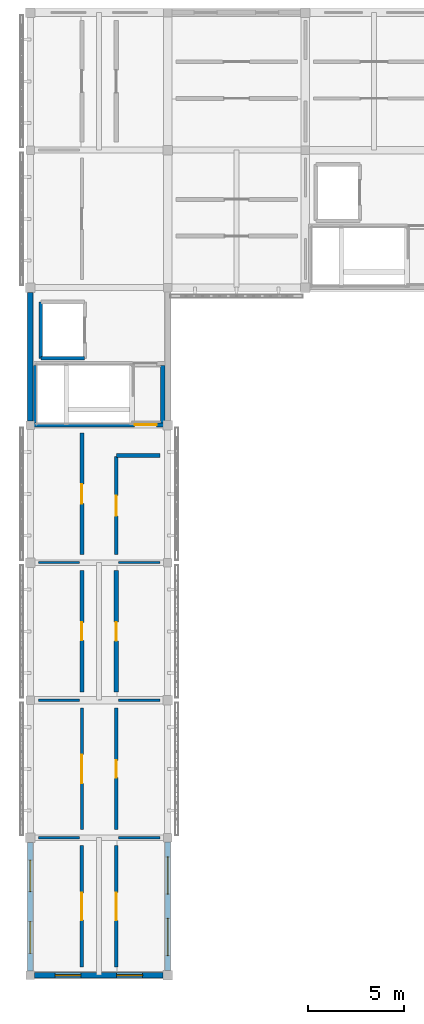
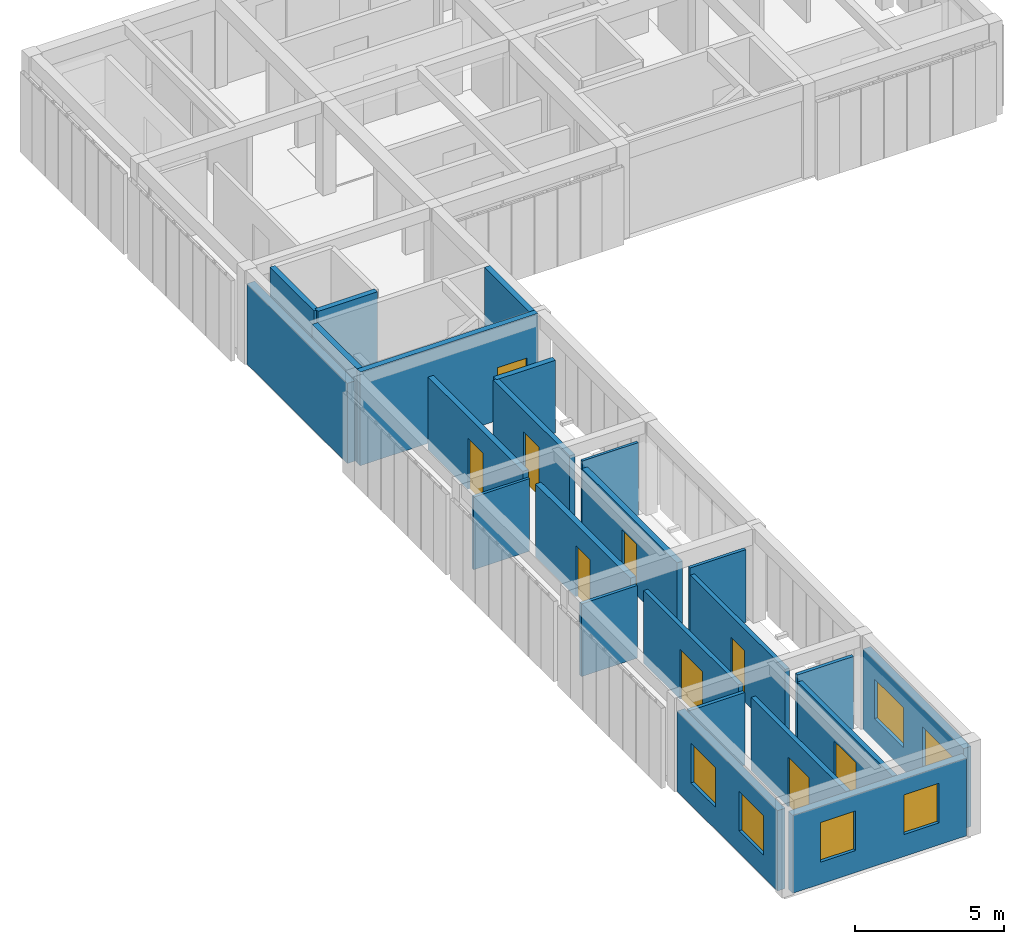
# One storey, part 10 of 14: 24 walls, 9 doors, 6 windows, 15 openings.
"""IFC4 building model written with IfcOpenShell, lengths in metres."""

from ifc_helpers import new_model, si_unit, direction, frame, frame_2d, origin, place, context, subcontext, project, spatial, rectangle, extrude, material, layer, layer_set, type_object, element, fill, save


model = new_model("IFC4")

# Units and contexts
model_context = context("Model", 3, precision=1e-05, world=origin(), true_north=direction((0.0, 1.0)))
body_context = subcontext(model_context, "Body", "Model", "MODEL_VIEW")
ifc_project = project(units=[si_unit("LENGTHUNIT", "METRE"), si_unit("AREAUNIT", "SQUARE_METRE"), si_unit("VOLUMEUNIT", "CUBIC_METRE"), si_unit("PLANEANGLEUNIT", "RADIAN"), si_unit("MASSUNIT", "GRAM", prefix="KILO")], contexts=[model_context])

# Site, building, storey
site_placement = place(None, origin())
site = spatial("IfcSite", under=ifc_project, at=site_placement, CompositionType="ELEMENT")
building_placement = place(site_placement, origin())
building = spatial("IfcBuilding", under=site, at=building_placement, Name="Aldebral Square Health Centre", CompositionType="ELEMENT")
storey_placement = place(building_placement, frame((0.0, 0.0, 21.60009765625)))
storey = spatial("IfcBuildingStorey", under=building, at=storey_placement, Name="L05", CompositionType="ELEMENT", Elevation=21.60009765625)

# Wall, openings, windows
ifc_material_1 = material(Name="Precast concrete C40/50 insulated panel", Category="concrete")
ifc_layer_1 = layer(ifc_material_1, 0.300048828125, Name="Precast concrete C40/50 insulated panel", Category="concrete")
ifc_layer_set_1 = layer_set([ifc_layer_1], Name="Precast concrete C40/50 insulated panel")
wall_type_1 = type_object("IfcWallType", Name="EW-PRE-300", PredefinedType="STANDARD", material=ifc_layer_set_1)
wall_1_placement = place(storey_placement, frame((0.22509765625, 64.800048828125, 0.0), z_axis=(0.0, 0.0, 1.0), x_axis=(1.0, 0.0, 0.0)))
wall_1 = element("IfcWall", 1, at=wall_1_placement, inside=storey, type_object=wall_type_1, Name="L05 V4 exterior wall L05-V4-00-09-S", PredefinedType="STANDARD", context=body_context, shape_type="SweptSolid", body=[
    extrude(rectangle(XDim=6.724853515625, YDim=0.300048828125, at=frame_2d((3.3623046875, 0.0))), origin(), (0.0, 0.0, 1.0), 3.179931640625),
])
opening_1_placement = place(wall_1_placement, frame((1.074951171875, 0.0, 0.89990234375)))
opening_1 = element("IfcOpeningElement", 2, at=opening_1_placement, cuts=wall_1, Name="Opening W31", PredefinedType="OPENING", context=body_context, shape_type="SweptSolid", body=[
    extrude(rectangle(XDim=1.35009765625, YDim=1.6201171875, at=frame_2d((0.675048828125, 0.81005859375))), frame((0.0, 0.16015625, 0.0), z_axis=(0.0, -1.0, 0.0), x_axis=(1.0, 0.0, 0.0)), (0.0, 0.0, 1.0), 0.320068359375),
])
opening_2_placement = place(wall_1_placement, frame((4.300048828125, 0.0, 0.89990234375)))
opening_2 = element("IfcOpeningElement", 3, at=opening_2_placement, cuts=wall_1, Name="Opening W31", PredefinedType="OPENING", context=body_context, shape_type="SweptSolid", body=[
    extrude(rectangle(XDim=1.35009765625, YDim=1.6201171875, at=frame_2d((0.675048828125, 0.81005859375))), frame((0.0, 0.16015625, 0.0), z_axis=(0.0, -1.0, 0.0), x_axis=(1.0, 0.0, 0.0)), (0.0, 0.0, 1.0), 0.320068359375),
])
ifc_material_2 = material(Name="Thermally broken aluminium and low-E glass", Category="aluminium")
window_type_1 = type_object("IfcWindowType", Name="WIN-W31", PartitioningType="SINGLE_PANEL", PredefinedType="WINDOW", material=ifc_material_2)
window_1_placement = place(opening_1_placement, origin())
window_1 = element("IfcWindow", 4, at=window_1_placement, inside=storey, type_object=window_type_1, Name="L05 clinical window L05-V4-00-09-S.1", OverallHeight=1.6201171875, OverallWidth=1.35009765625, PartitioningType="SINGLE_PANEL", PredefinedType="WINDOW", context=body_context, shape_type="SweptSolid", body=[
    extrude(rectangle(XDim=1.35009765625, YDim=1.6201171875, at=frame_2d((0.675048828125, 0.81005859375))), frame((0.0, 0.030029296875, 0.0), z_axis=(0.0, -1.0, 0.0), x_axis=(1.0, 0.0, 0.0)), (0.0, 0.0, 1.0), 0.06005859375),
])
fill(opening_1, window_1)
window_2_placement = place(opening_2_placement, origin())
window_2 = element("IfcWindow", 5, at=window_2_placement, inside=storey, type_object=window_type_1, Name="L05 clinical window L05-V4-00-09-S.2", OverallHeight=1.6201171875, OverallWidth=1.35009765625, PartitioningType="SINGLE_PANEL", PredefinedType="WINDOW", context=body_context, shape_type="SweptSolid", body=[
    extrude(rectangle(XDim=1.35009765625, YDim=1.6201171875, at=frame_2d((0.675048828125, 0.81005859375))), frame((0.0, 0.030029296875, 0.0), z_axis=(0.0, -1.0, 0.0), x_axis=(1.0, 0.0, 0.0)), (0.0, 0.0, 1.0), 0.06005859375),
])
fill(opening_2, window_2)

wall_2_placement = place(storey_placement, frame((0.0, 71.75, 0.0), z_axis=(0.0, 0.0, 1.0), x_axis=(0.0, -1.0, 0.0)))
wall_2 = element("IfcWall", 6, at=wall_2_placement, inside=storey, type_object=wall_type_1, Name="L05 V4 exterior wall L05-V4-00-09-W", PredefinedType="STANDARD", context=body_context, shape_type="SweptSolid", body=[
    extrude(rectangle(XDim=6.72509765625, YDim=0.300048828125, at=frame_2d((3.362548828125, 0.0))), origin(), (0.0, 0.0, 1.0), 3.27978515625),
])
opening_3_placement = place(wall_2_placement, frame((0.925048828125, 0.0, 0.89990234375)))
opening_3 = element("IfcOpeningElement", 7, at=opening_3_placement, cuts=wall_2, Name="Opening W33", PredefinedType="OPENING", context=body_context, shape_type="SweptSolid", body=[
    extrude(rectangle(XDim=1.64990234375, YDim=1.6201171875, at=frame_2d((0.824951171875, 0.81005859375))), frame((0.0, 0.16015625, 0.0), z_axis=(0.0, -1.0, 0.0), x_axis=(1.0, 0.0, 0.0)), (0.0, 0.0, 1.0), 0.320068359375),
])
opening_4_placement = place(wall_2_placement, frame((4.14990234375, 0.0, 0.89990234375)))
opening_4 = element("IfcOpeningElement", 8, at=opening_4_placement, cuts=wall_2, Name="Opening W33", PredefinedType="OPENING", context=body_context, shape_type="SweptSolid", body=[
    extrude(rectangle(XDim=1.64990234375, YDim=1.6201171875, at=frame_2d((0.824951171875, 0.81005859375))), frame((0.0, 0.16015625, 0.0), z_axis=(0.0, -1.0, 0.0), x_axis=(1.0, 0.0, 0.0)), (0.0, 0.0, 1.0), 0.320068359375),
])
window_type_2 = type_object("IfcWindowType", Name="WIN-W33", PartitioningType="SINGLE_PANEL", PredefinedType="WINDOW", material=ifc_material_2)
window_3_placement = place(opening_3_placement, origin())
window_3 = element("IfcWindow", 9, at=window_3_placement, inside=storey, type_object=window_type_2, Name="L05 clinical window L05-V4-00-09-W.1", OverallHeight=1.6201171875, OverallWidth=1.64990234375, PartitioningType="SINGLE_PANEL", PredefinedType="WINDOW", context=body_context, shape_type="SweptSolid", body=[
    extrude(rectangle(XDim=1.64990234375, YDim=1.6201171875, at=frame_2d((0.824951171875, 0.81005859375))), frame((0.0, 0.030029296875, 0.0), z_axis=(0.0, -1.0, 0.0), x_axis=(1.0, 0.0, 0.0)), (0.0, 0.0, 1.0), 0.06005859375),
])
fill(opening_3, window_3)
window_4_placement = place(opening_4_placement, origin())
window_4 = element("IfcWindow", 10, at=window_4_placement, inside=storey, type_object=window_type_2, Name="L05 clinical window L05-V4-00-09-W.2", OverallHeight=1.6201171875, OverallWidth=1.64990234375, PartitioningType="SINGLE_PANEL", PredefinedType="WINDOW", context=body_context, shape_type="SweptSolid", body=[
    extrude(rectangle(XDim=1.64990234375, YDim=1.6201171875, at=frame_2d((0.824951171875, 0.81005859375))), frame((0.0, 0.030029296875, 0.0), z_axis=(0.0, -1.0, 0.0), x_axis=(1.0, 0.0, 0.0)), (0.0, 0.0, 1.0), 0.06005859375),
])
fill(opening_4, window_4)

wall_3_placement = place(storey_placement, frame((7.199951171875, 65.050048828125, 0.0), z_axis=(0.0, 0.0, 1.0), x_axis=(0.0, 1.0, 0.0)))
wall_3 = element("IfcWall", 11, at=wall_3_placement, inside=storey, type_object=wall_type_1, Name="L05 V4 exterior wall L05-V4-00-09-E", PredefinedType="STANDARD", context=body_context, shape_type="SweptSolid", body=[
    extrude(rectangle(XDim=6.724853515625, YDim=0.300048828125, at=frame_2d((3.3623046875, 0.0))), origin(), (0.0, 0.0, 1.0), 3.27978515625),
])
opening_5_placement = place(wall_3_placement, frame((0.77490234375, 0.0, 0.89990234375)))
opening_5 = element("IfcOpeningElement", 12, at=opening_5_placement, cuts=wall_3, Name="Opening W35", PredefinedType="OPENING", context=body_context, shape_type="SweptSolid", body=[
    extrude(rectangle(XDim=1.949951171875, YDim=1.6201171875, at=frame_2d((0.97509765625, 0.81005859375))), frame((0.0, 0.16015625, 0.0), z_axis=(0.0, -1.0, 0.0), x_axis=(1.0, 0.0, 0.0)), (0.0, 0.0, 1.0), 0.320068359375),
])
opening_6_placement = place(wall_3_placement, frame((4.0, 0.0, 0.89990234375)))
opening_6 = element("IfcOpeningElement", 13, at=opening_6_placement, cuts=wall_3, Name="Opening W35", PredefinedType="OPENING", context=body_context, shape_type="SweptSolid", body=[
    extrude(rectangle(XDim=1.949951171875, YDim=1.6201171875, at=frame_2d((0.97509765625, 0.81005859375))), frame((0.0, 0.16015625, 0.0), z_axis=(0.0, -1.0, 0.0), x_axis=(1.0, 0.0, 0.0)), (0.0, 0.0, 1.0), 0.320068359375),
])
window_type_3 = type_object("IfcWindowType", Name="WIN-W35", PartitioningType="SINGLE_PANEL", PredefinedType="WINDOW", material=ifc_material_2)
window_5_placement = place(opening_5_placement, origin())
window_5 = element("IfcWindow", 14, at=window_5_placement, inside=storey, type_object=window_type_3, Name="L05 clinical window L05-V4-00-09-E.1", OverallHeight=1.6201171875, OverallWidth=1.949951171875, PartitioningType="SINGLE_PANEL", PredefinedType="WINDOW", context=body_context, shape_type="SweptSolid", body=[
    extrude(rectangle(XDim=1.949951171875, YDim=1.6201171875, at=frame_2d((0.97509765625, 0.81005859375))), frame((0.0, 0.030029296875, 0.0), z_axis=(0.0, -1.0, 0.0), x_axis=(1.0, 0.0, 0.0)), (0.0, 0.0, 1.0), 0.06005859375),
])
fill(opening_5, window_5)
window_6_placement = place(opening_6_placement, origin())
window_6 = element("IfcWindow", 15, at=window_6_placement, inside=storey, type_object=window_type_3, Name="L05 clinical window L05-V4-00-09-E.2", OverallHeight=1.6201171875, OverallWidth=1.949951171875, PartitioningType="SINGLE_PANEL", PredefinedType="WINDOW", context=body_context, shape_type="SweptSolid", body=[
    extrude(rectangle(XDim=1.949951171875, YDim=1.6201171875, at=frame_2d((0.97509765625, 0.81005859375))), frame((0.0, 0.030029296875, 0.0), z_axis=(0.0, -1.0, 0.0), x_axis=(1.0, 0.0, 0.0)), (0.0, 0.0, 1.0), 0.06005859375),
])
fill(opening_6, window_6)

# Wall
wall_4_placement = place(storey_placement, frame((0.0, 100.550048828125, 0.0), z_axis=(0.0, 0.0, 1.0), x_axis=(0.0, -1.0, 0.0)))
element("IfcWall", 16, at=wall_4_placement, inside=storey, type_object=wall_type_1, Name="L05 V4 exterior wall L05-V4-00-13-W", PredefinedType="STANDARD", context=body_context, shape_type="SweptSolid", body=[
    extrude(rectangle(XDim=6.72509765625, YDim=0.300048828125, at=frame_2d((3.362548828125, 0.0))), origin(), (0.0, 0.0, 1.0), 3.27978515625),
])

# Wall, opening, door
ifc_material_3 = material(Name="Concrete C35/45 compartment wall", Category="concrete")
ifc_layer_2 = layer(ifc_material_3, 0.199951171875, Name="Concrete C35/45 compartment wall", Category="concrete")
ifc_layer_set_2 = layer_set([ifc_layer_2], Name="Concrete C35/45 compartment wall")
wall_type_2 = type_object("IfcWallType", Name="IW-CMP-200", PredefinedType="SOLIDWALL", material=ifc_layer_set_2)
wall_5_placement = place(storey_placement, frame((4.5, 86.820068359375, 0.0), z_axis=(0.0, 0.0, 1.0), x_axis=(0.0, 1.0, 0.0)))
wall_5 = element("IfcWall", 17, at=wall_5_placement, inside=storey, type_object=wall_type_2, Name="L05 Preventive Screening Room 1.13E corridor wall", PredefinedType="SOLIDWALL", context=body_context, shape_type="SweptSolid", body=[
    extrude(rectangle(XDim=5.1298828125, YDim=0.199951171875, at=frame_2d((2.56494140625, 0.0))), origin(), (0.0, 0.0, 1.0), 2.969970703125),
])
opening_7_placement = place(wall_5_placement, frame((2.034912109375, 0.0, 0.0)))
opening_7 = element("IfcOpeningElement", 18, at=opening_7_placement, cuts=wall_5, Name="Opening D-0656", PredefinedType="OPENING", context=body_context, shape_type="SweptSolid", body=[
    extrude(rectangle(XDim=1.06005859375, YDim=2.090087890625, at=frame_2d((0.530029296875, 1.044921875))), frame((0.0, 0.10986328125, 0.0), z_axis=(0.0, -1.0, 0.0), x_axis=(1.0, 0.0, 0.0)), (0.0, 0.0, 1.0), 0.219970703125),
])
ifc_material_4 = material(Name="Clinical suite fire door")
door_type_1 = type_object("IfcDoorType", Name="ID-EXD-20", OperationType="NOTDEFINED", PredefinedType="DOOR", material=ifc_material_4)
door_1_placement = place(opening_7_placement, origin())
door_1 = element("IfcDoor", 19, at=door_1_placement, inside=storey, type_object=door_type_1, Name="L05 Preventive Screening Room 1.13E door", OperationType="SINGLE_SWING_LEFT", OverallHeight=2.090087890625, OverallWidth=1.06005859375, PredefinedType="DOOR", context=body_context, shape_type="SweptSolid", body=[
    extrude(rectangle(XDim=1.06005859375, YDim=2.090087890625, at=frame_2d((0.530029296875, 1.044921875))), frame((0.0, 0.02490234375, 0.0), z_axis=(0.0, -1.0, 0.0), x_axis=(1.0, 0.0, 0.0)), (0.0, 0.0, 1.0), 0.050048828125),
])
fill(opening_7, door_1)

ifc_layer_3 = layer(ifc_material_3, 0.219970703125, Name="Concrete C35/45 compartment wall", Category="concrete")
ifc_layer_set_3 = layer_set([ifc_layer_3], Name="Concrete C35/45 compartment wall")
wall_type_3 = type_object("IfcWallType", Name="IW-CMP-220", PredefinedType="SOLIDWALL", material=ifc_layer_set_3)
wall_6_placement = place(storey_placement, frame((2.699951171875, 79.6201171875, 0.0), z_axis=(0.0, 0.0, 1.0), x_axis=(0.0, 1.0, 0.0)))
wall_6 = element("IfcWall", 20, at=wall_6_placement, inside=storey, type_object=wall_type_3, Name="L05 Staff Continuing Education Room 1.12W corridor wall", PredefinedType="SOLIDWALL", context=body_context, shape_type="SweptSolid", body=[
    extrude(rectangle(XDim=6.35986328125, YDim=0.219970703125, at=frame_2d((3.179931640625, 0.0))), origin(), (0.0, 0.0, 1.0), 2.969970703125),
])
opening_8_placement = place(wall_6_placement, frame((2.7099609375, 0.0, 0.0)))
opening_8 = element("IfcOpeningElement", 21, at=opening_8_placement, cuts=wall_6, Name="Opening D-0653", PredefinedType="OPENING", context=body_context, shape_type="SweptSolid", body=[
    extrude(rectangle(XDim=0.93994140625, YDim=2.090087890625, at=frame_2d((0.469970703125, 1.044921875))), frame((0.0, 0.1201171875, 0.0), z_axis=(0.0, -1.0, 0.0), x_axis=(1.0, 0.0, 0.0)), (0.0, 0.0, 1.0), 0.239990234375),
])
door_type_2 = type_object("IfcDoorType", Name="ID-EXD-17", OperationType="NOTDEFINED", PredefinedType="DOOR", material=ifc_material_4)
door_2_placement = place(opening_8_placement, origin())
door_2 = element("IfcDoor", 22, at=door_2_placement, inside=storey, type_object=door_type_2, Name="L05 Staff Continuing Education Room 1.12W door", OperationType="SINGLE_SWING_RIGHT", OverallHeight=2.090087890625, OverallWidth=0.93994140625, PredefinedType="DOOR", context=body_context, shape_type="SweptSolid", body=[
    extrude(rectangle(XDim=0.93994140625, YDim=2.090087890625, at=frame_2d((0.469970703125, 1.044921875))), frame((0.0, 0.02490234375, 0.0), z_axis=(0.0, -1.0, 0.0), x_axis=(1.0, 0.0, 0.0)), (0.0, 0.0, 1.0), 0.050048828125),
])
fill(opening_8, door_2)

wall_7_placement = place(storey_placement, frame((4.5, 79.6201171875, 0.0), z_axis=(0.0, 0.0, 1.0), x_axis=(0.0, 1.0, 0.0)))
wall_7 = element("IfcWall", 23, at=wall_7_placement, inside=storey, type_object=wall_type_3, Name="L05 Rooftop AHU Plant Room 1.12E corridor wall", PredefinedType="SOLIDWALL", context=body_context, shape_type="SweptSolid", body=[
    extrude(rectangle(XDim=6.35986328125, YDim=0.219970703125, at=frame_2d((3.179931640625, 0.0))), origin(), (0.0, 0.0, 1.0), 2.969970703125),
])
opening_9_placement = place(wall_7_placement, frame((2.68994140625, 0.0, 0.0)))
opening_9 = element("IfcOpeningElement", 24, at=opening_9_placement, cuts=wall_7, Name="Opening D-0654", PredefinedType="OPENING", context=body_context, shape_type="SweptSolid", body=[
    extrude(rectangle(XDim=0.97998046875, YDim=2.090087890625, at=frame_2d((0.489990234375, 1.044921875))), frame((0.0, 0.1201171875, 0.0), z_axis=(0.0, -1.0, 0.0), x_axis=(1.0, 0.0, 0.0)), (0.0, 0.0, 1.0), 0.239990234375),
])
door_type_3 = type_object("IfcDoorType", Name="ID-EXD-18", OperationType="NOTDEFINED", PredefinedType="DOOR", material=ifc_material_4)
door_3_placement = place(opening_9_placement, origin())
door_3 = element("IfcDoor", 25, at=door_3_placement, inside=storey, type_object=door_type_3, Name="L05 Rooftop AHU Plant Room 1.12E door", OperationType="SINGLE_SWING_LEFT", OverallHeight=2.090087890625, OverallWidth=0.97998046875, PredefinedType="DOOR", context=body_context, shape_type="SweptSolid", body=[
    extrude(rectangle(XDim=0.97998046875, YDim=2.090087890625, at=frame_2d((0.489990234375, 1.044921875))), frame((0.0, 0.02490234375, 0.0), z_axis=(0.0, -1.0, 0.0), x_axis=(1.0, 0.0, 0.0)), (0.0, 0.0, 1.0), 0.050048828125),
])
fill(opening_9, door_3)

ifc_material_5 = material(Name="Fire-rated acoustic gypsum partition")
ifc_layer_4 = layer(ifc_material_5, 0.1650390625, Name="Fire-rated acoustic gypsum partition")
ifc_layer_set_4 = layer_set([ifc_layer_4], Name="Fire-rated acoustic gypsum partition")
wall_type_4 = type_object("IfcWallType", Name="IW-COR-165", PredefinedType="PARTITIONING", material=ifc_layer_set_4)
wall_8_placement = place(storey_placement, frame((2.699951171875, 72.419921875, 0.0), z_axis=(0.0, 0.0, 1.0), x_axis=(0.0, 1.0, 0.0)))
wall_8 = element("IfcWall", 26, at=wall_8_placement, inside=storey, type_object=wall_type_4, Name="L05 Clinical Governance Suite 1.11W corridor wall", PredefinedType="PARTITIONING", context=body_context, shape_type="SweptSolid", body=[
    extrude(rectangle(XDim=6.360107421875, YDim=0.1650390625, at=frame_2d((3.18017578125, 0.0))), origin(), (0.0, 0.0, 1.0), 2.969970703125),
])
opening_10_placement = place(wall_8_placement, frame((2.429931640625, 0.0, 0.0)))
opening_10 = element("IfcOpeningElement", 27, at=opening_10_placement, cuts=wall_8, Name="Opening D-0651", PredefinedType="OPENING", context=body_context, shape_type="SweptSolid", body=[
    extrude(rectangle(XDim=1.5, YDim=2.0400390625, at=frame_2d((0.75, 1.02001953125))), frame((0.0, 0.092529296875, 0.0), z_axis=(0.0, -1.0, 0.0), x_axis=(1.0, 0.0, 0.0)), (0.0, 0.0, 1.0), 0.18505859375),
])
door_type_4 = type_object("IfcDoorType", Name="ID-EXD-15", OperationType="NOTDEFINED", PredefinedType="DOOR", material=ifc_material_4)
door_4_placement = place(opening_10_placement, origin())
door_4 = element("IfcDoor", 28, at=door_4_placement, inside=storey, type_object=door_type_4, Name="L05 Clinical Governance Suite 1.11W door", OperationType="SINGLE_SWING_RIGHT", OverallHeight=2.0400390625, OverallWidth=1.5, PredefinedType="DOOR", context=body_context, shape_type="SweptSolid", body=[
    extrude(rectangle(XDim=1.5, YDim=2.0400390625, at=frame_2d((0.75, 1.02001953125))), frame((0.0, 0.02490234375, 0.0), z_axis=(0.0, -1.0, 0.0), x_axis=(1.0, 0.0, 0.0)), (0.0, 0.0, 1.0), 0.050048828125),
])
fill(opening_10, door_4)

wall_9_placement = place(storey_placement, frame((4.5, 72.419921875, 0.0), z_axis=(0.0, 0.0, 1.0), x_axis=(0.0, 1.0, 0.0)))
wall_9 = element("IfcWall", 29, at=wall_9_placement, inside=storey, type_object=wall_type_4, Name="L05 Telemedicine Consultation Room 1.11E corridor wall", PredefinedType="PARTITIONING", context=body_context, shape_type="SweptSolid", body=[
    extrude(rectangle(XDim=6.360107421875, YDim=0.1650390625, at=frame_2d((3.18017578125, 0.0))), origin(), (0.0, 0.0, 1.0), 2.969970703125),
])
opening_11_placement = place(wall_9_placement, frame((2.72998046875, 0.0, 0.0)))
opening_11 = element("IfcOpeningElement", 30, at=opening_11_placement, cuts=wall_9, Name="Opening D-0652", PredefinedType="OPENING", context=body_context, shape_type="SweptSolid", body=[
    extrude(rectangle(XDim=0.89990234375, YDim=2.090087890625, at=frame_2d((0.449951171875, 1.044921875))), frame((0.0, 0.092529296875, 0.0), z_axis=(0.0, -1.0, 0.0), x_axis=(1.0, 0.0, 0.0)), (0.0, 0.0, 1.0), 0.18505859375),
])
door_type_5 = type_object("IfcDoorType", Name="ID-EXD-16", OperationType="NOTDEFINED", PredefinedType="DOOR", material=ifc_material_4)
door_5_placement = place(opening_11_placement, origin())
door_5 = element("IfcDoor", 31, at=door_5_placement, inside=storey, type_object=door_type_5, Name="L05 Telemedicine Consultation Room 1.11E door", OperationType="SINGLE_SWING_LEFT", OverallHeight=2.090087890625, OverallWidth=0.89990234375, PredefinedType="DOOR", context=body_context, shape_type="SweptSolid", body=[
    extrude(rectangle(XDim=0.89990234375, YDim=2.090087890625, at=frame_2d((0.449951171875, 1.044921875))), frame((0.0, 0.02490234375, 0.0), z_axis=(0.0, -1.0, 0.0), x_axis=(1.0, 0.0, 0.0)), (0.0, 0.0, 1.0), 0.050048828125),
])
fill(opening_11, door_5)

ifc_layer_5 = layer(ifc_material_5, 0.179931640625, Name="Fire-rated acoustic gypsum partition")
ifc_layer_set_5 = layer_set([ifc_layer_5], Name="Fire-rated acoustic gypsum partition")
wall_type_5 = type_object("IfcWallType", Name="IW-COR-180", PredefinedType="PARTITIONING", material=ifc_layer_set_5)
wall_10_placement = place(storey_placement, frame((2.699951171875, 65.219970703125, 0.0), z_axis=(0.0, 0.0, 1.0), x_axis=(0.0, 1.0, 0.0)))
wall_10 = element("IfcWall", 32, at=wall_10_placement, inside=storey, type_object=wall_type_5, Name="L05 Preventive Screening Room 1.10W corridor wall", PredefinedType="PARTITIONING", context=body_context, shape_type="SweptSolid", body=[
    extrude(rectangle(XDim=6.360107421875, YDim=0.179931640625, at=frame_2d((3.18017578125, 0.0))), origin(), (0.0, 0.0, 1.0), 2.969970703125),
])
opening_12_placement = place(wall_10_placement, frame((2.469970703125, 0.0, 0.0)))
opening_12 = element("IfcOpeningElement", 33, at=opening_12_placement, cuts=wall_10, Name="Opening D-0649", PredefinedType="OPENING", context=body_context, shape_type="SweptSolid", body=[
    extrude(rectangle(XDim=1.419921875, YDim=2.0400390625, at=frame_2d((0.7099609375, 1.02001953125))), frame((0.0, 0.10009765625, 0.0), z_axis=(0.0, -1.0, 0.0), x_axis=(1.0, 0.0, 0.0)), (0.0, 0.0, 1.0), 0.199951171875),
])
door_type_6 = type_object("IfcDoorType", Name="ID-EXD-13", OperationType="NOTDEFINED", PredefinedType="DOOR", material=ifc_material_4)
door_6_placement = place(opening_12_placement, origin())
door_6 = element("IfcDoor", 34, at=door_6_placement, inside=storey, type_object=door_type_6, Name="L05 Preventive Screening Room 1.10W door", OperationType="SINGLE_SWING_RIGHT", OverallHeight=2.0400390625, OverallWidth=1.419921875, PredefinedType="DOOR", context=body_context, shape_type="SweptSolid", body=[
    extrude(rectangle(XDim=1.419921875, YDim=2.0400390625, at=frame_2d((0.7099609375, 1.02001953125))), frame((0.0, 0.02490234375, 0.0), z_axis=(0.0, -1.0, 0.0), x_axis=(1.0, 0.0, 0.0)), (0.0, 0.0, 1.0), 0.050048828125),
])
fill(opening_12, door_6)

wall_11_placement = place(storey_placement, frame((4.5, 65.219970703125, 0.0), z_axis=(0.0, 0.0, 1.0), x_axis=(0.0, 1.0, 0.0)))
wall_11 = element("IfcWall", 35, at=wall_11_placement, inside=storey, type_object=wall_type_5, Name="L05 Epidemiology Surveillance Office 1.10E corridor wall", PredefinedType="PARTITIONING", context=body_context, shape_type="SweptSolid", body=[
    extrude(rectangle(XDim=6.360107421875, YDim=0.179931640625, at=frame_2d((3.18017578125, 0.0))), origin(), (0.0, 0.0, 1.0), 2.969970703125),
])
opening_13_placement = place(wall_11_placement, frame((2.449951171875, 0.0, 0.0)))
opening_13 = element("IfcOpeningElement", 36, at=opening_13_placement, cuts=wall_11, Name="Opening D-0650", PredefinedType="OPENING", context=body_context, shape_type="SweptSolid", body=[
    extrude(rectangle(XDim=1.4599609375, YDim=2.0400390625, at=frame_2d((0.72998046875, 1.02001953125))), frame((0.0, 0.10009765625, 0.0), z_axis=(0.0, -1.0, 0.0), x_axis=(1.0, 0.0, 0.0)), (0.0, 0.0, 1.0), 0.199951171875),
])
door_type_7 = type_object("IfcDoorType", Name="ID-EXD-14", OperationType="NOTDEFINED", PredefinedType="DOOR", material=ifc_material_4)
door_7_placement = place(opening_13_placement, origin())
door_7 = element("IfcDoor", 37, at=door_7_placement, inside=storey, type_object=door_type_7, Name="L05 Epidemiology Surveillance Office 1.10E door", OperationType="SINGLE_SWING_LEFT", OverallHeight=2.0400390625, OverallWidth=1.4599609375, PredefinedType="DOOR", context=body_context, shape_type="SweptSolid", body=[
    extrude(rectangle(XDim=1.4599609375, YDim=2.0400390625, at=frame_2d((0.72998046875, 1.02001953125))), frame((0.0, 0.02490234375, 0.0), z_axis=(0.0, -1.0, 0.0), x_axis=(1.0, 0.0, 0.0)), (0.0, 0.0, 1.0), 0.050048828125),
])
fill(opening_13, door_7)

ifc_material_6 = material(Name="Concrete C40/50", Category="concrete")
ifc_layer_6 = layer(ifc_material_6, 0.219970703125, Name="Concrete C40/50", Category="concrete")
ifc_layer_set_6 = layer_set([ifc_layer_6], Name="Concrete C40/50")
wall_type_6 = type_object("IfcWallType", Name="IW-CORE-280", PredefinedType="SHEAR", material=ifc_layer_set_6)
wall_12_placement = place(storey_placement, frame((0.159912109375, 93.610107421875, 0.0), z_axis=(0.0, 0.0, 1.0), x_axis=(1.0, 0.0, 0.0)))
wall_12 = element("IfcWall", 38, at=wall_12_placement, inside=storey, type_object=wall_type_6, Name="L05 WC-C1 shaft wall S", PredefinedType="SHEAR", context=body_context, shape_type="SweptSolid", body=[
    extrude(rectangle(XDim=6.880126953125, YDim=0.219970703125, at=frame_2d((3.43994140625, 0.0))), origin(), (0.0, 0.0, 1.0), 3.829833984375),
])
opening_14_placement = place(wall_12_placement, frame((5.300048828125, 0.0, 0.0)))
opening_14 = element("IfcOpeningElement", 39, at=opening_14_placement, cuts=wall_12, Name="Opening D-0018", PredefinedType="OPENING", context=body_context, shape_type="SweptSolid", body=[
    extrude(rectangle(XDim=1.14990234375, YDim=2.14990234375, at=frame_2d((0.574951171875, 1.074951171875))), frame((0.0, 0.1201171875, 0.0), z_axis=(0.0, -1.0, 0.0), x_axis=(1.0, 0.0, 0.0)), (0.0, 0.0, 1.0), 0.239990234375),
])
ifc_material_7 = material(Name="Fire-rated steel lobby stair door", Category="steel")
door_type_8 = type_object("IfcDoorType", Name="ID-ST-115", OperationType="NOTDEFINED", PredefinedType="DOOR", material=ifc_material_7)
door_8_placement = place(opening_14_placement, origin())
door_8 = element("IfcDoor", 40, at=door_8_placement, inside=storey, type_object=door_type_8, Name="L05 ST-01 south lobby fire door", OperationType="SINGLE_SWING_LEFT", OverallHeight=2.14990234375, OverallWidth=1.14990234375, PredefinedType="DOOR", context=body_context, shape_type="SweptSolid", body=[
    extrude(rectangle(XDim=1.14990234375, YDim=2.14990234375, at=frame_2d((0.574951171875, 1.074951171875))), frame((0.0, 0.02490234375, 0.0), z_axis=(0.0, -1.0, 0.0), x_axis=(1.0, 0.0, 0.0)), (0.0, 0.0, 1.0), 0.050048828125),
])
fill(opening_14, door_8)

# Walls
for number, where, z_axis, x_axis, name in (
    (41, (0.27001953125, 93.719970703125, 0.0), (0.0, 0.0, 1.0), (0.0, 1.0, 0.0), "L05 WC-C1 shaft wall W"),
    (42, (6.929931640625, 93.719970703125, 0.0), (0.0, 0.0, 1.0), (0.0, 1.0, 0.0), "L05 WC-C1 shaft wall E"),
):
    element("IfcWall", number, at=place(storey_placement, frame(where, z_axis=z_axis, x_axis=x_axis)), inside=storey, type_object=wall_type_6, Name=name, PredefinedType="SHEAR", context=body_context, shape_type="SweptSolid", body=[
        extrude(rectangle(XDim=3.0, YDim=0.219970703125, at=frame_2d((1.5, 0.0))), origin(), (0.0, 0.0, 1.0), 3.829833984375),
    ])
ifc_layer_7 = layer(ifc_material_6, 0.199951171875, Name="Concrete C40/50", Category="concrete")
ifc_layer_set_7 = layer_set([ifc_layer_7], Name="Concrete C40/50")
wall_type_7 = type_object("IfcWallType", Name="IW-LFT-250", PredefinedType="SHEAR", material=ifc_layer_set_7)
wall_13_placement = place(storey_placement, frame((0.550048828125, 97.10009765625, 0.0), z_axis=(0.0, 0.0, 1.0), x_axis=(1.0, 0.0, 0.0)))
element("IfcWall", 43, at=wall_13_placement, inside=storey, type_object=wall_type_7, Name="L05 LF-01 shaft wall S", PredefinedType="SHEAR", context=body_context, shape_type="SweptSolid", body=[
    extrude(rectangle(XDim=2.300048828125, YDim=0.199951171875, at=frame_2d((1.14990234375, 0.0))), origin(), (0.0, 0.0, 1.0), 4.0498046875),
])
wall_14_placement = place(storey_placement, frame((0.550048828125, 97.10009765625, 0.0), z_axis=(0.0, 0.0, 1.0), x_axis=(0.0, 1.0, 0.0)))
element("IfcWall", 44, at=wall_14_placement, inside=storey, type_object=wall_type_7, Name="L05 LF-01 shaft wall W", PredefinedType="SHEAR", context=body_context, shape_type="SweptSolid", body=[
    extrude(rectangle(XDim=2.949951171875, YDim=0.199951171875, at=frame_2d((1.47509765625, 0.0))), origin(), (0.0, 0.0, 1.0), 4.0498046875),
])

# Wall, opening, door
ifc_material_8 = material(Name="Moisture-resistant sanitary chase wall")
ifc_layer_8 = layer(ifc_material_8, 0.2099609375, Name="Moisture-resistant sanitary chase wall")
ifc_layer_set_8 = layer_set([ifc_layer_8], Name="Moisture-resistant sanitary chase wall")
wall_type_8 = type_object("IfcWallType", Name="IW-PLB-210", PredefinedType="PLUMBINGWALL", material=ifc_layer_set_8)
wall_15_placement = place(storey_placement, frame((2.699951171875, 86.820068359375, 0.0), z_axis=(0.0, 0.0, 1.0), x_axis=(0.0, 1.0, 0.0)))
wall_15 = element("IfcWall", 45, at=wall_15_placement, inside=storey, type_object=wall_type_8, Name="L05 Accessible WC 1.13W corridor wall", PredefinedType="PLUMBINGWALL", context=body_context, shape_type="SweptSolid", body=[
    extrude(rectangle(XDim=6.35986328125, YDim=0.2099609375, at=frame_2d((3.179931640625, 0.0))), origin(), (0.0, 0.0, 1.0), 2.969970703125),
])
opening_15_placement = place(wall_15_placement, frame((2.669921875, 0.0, 0.0)))
opening_15 = element("IfcOpeningElement", 46, at=opening_15_placement, cuts=wall_15, Name="Opening D-0655", PredefinedType="OPENING", context=body_context, shape_type="SweptSolid", body=[
    extrude(rectangle(XDim=1.02001953125, YDim=2.090087890625, at=frame_2d((0.510009765625, 1.044921875))), frame((0.0, 0.114990234375, 0.0), z_axis=(0.0, -1.0, 0.0), x_axis=(1.0, 0.0, 0.0)), (0.0, 0.0, 1.0), 0.22998046875),
])
door_type_9 = type_object("IfcDoorType", Name="ID-EXD-19", OperationType="NOTDEFINED", PredefinedType="DOOR", material=ifc_material_4)
door_9_placement = place(opening_15_placement, origin())
door_9 = element("IfcDoor", 47, at=door_9_placement, inside=storey, type_object=door_type_9, Name="L05 Accessible WC 1.13W door", OperationType="SINGLE_SWING_RIGHT", OverallHeight=2.090087890625, OverallWidth=1.02001953125, PredefinedType="DOOR", context=body_context, shape_type="SweptSolid", body=[
    extrude(rectangle(XDim=1.02001953125, YDim=2.090087890625, at=frame_2d((0.510009765625, 1.044921875))), frame((0.0, 0.02490234375, 0.0), z_axis=(0.0, -1.0, 0.0), x_axis=(1.0, 0.0, 0.0)), (0.0, 0.0, 1.0), 0.050048828125),
])
fill(opening_15, door_9)

# Walls
wall_16_placement = place(storey_placement, frame((4.5, 92.0, 0.0), z_axis=(0.0, 0.0, 1.0), x_axis=(1.0, 0.0, 0.0)))
element("IfcWall", 48, at=wall_16_placement, inside=storey, type_object=wall_type_8, Name="L05 Preventive Screening Room 1.13E lobby return wall", PredefinedType="PLUMBINGWALL", context=body_context, shape_type="SweptSolid", body=[
    extrude(rectangle(XDim=2.280029296875, YDim=0.2099609375, at=frame_2d((1.14013671875, 0.0))), origin(), (0.0, 0.0, 1.0), 2.969970703125),
])
ifc_material_9 = material(Name="Lightweight clinical partition")
ifc_layer_9 = layer(ifc_material_9, 0.10498046875, Name="Lightweight clinical partition")
ifc_layer_set_9 = layer_set([ifc_layer_9], Name="Lightweight clinical partition")
wall_type_9 = type_object("IfcWallType", Name="IW-PRT-105", PredefinedType="PARTITIONING", material=ifc_layer_set_9)
wall_17_placement = place(storey_placement, frame((0.419921875, 86.39990234375, 0.0), z_axis=(0.0, 0.0, 1.0), x_axis=(1.0, 0.0, 0.0)))
element("IfcWall", 49, at=wall_17_placement, inside=storey, type_object=wall_type_9, Name="L05 Staff Continuing Education Room 1.12W demising partition", PredefinedType="PARTITIONING", context=body_context, shape_type="SweptSolid", body=[
    extrude(rectangle(XDim=2.16015625, YDim=0.10498046875, at=frame_2d((1.080078125, 0.0))), origin(), (0.0, 0.0, 1.0), 2.969970703125),
])
wall_18_placement = place(storey_placement, frame((4.6201171875, 86.39990234375, 0.0), z_axis=(0.0, 0.0, 1.0), x_axis=(1.0, 0.0, 0.0)))
element("IfcWall", 50, at=wall_18_placement, inside=storey, type_object=wall_type_9, Name="L05 Rooftop AHU Plant Room 1.12E demising partition", PredefinedType="PARTITIONING", context=body_context, shape_type="SweptSolid", body=[
    extrude(rectangle(XDim=2.159912109375, YDim=0.10498046875, at=frame_2d((1.080078125, 0.0))), origin(), (0.0, 0.0, 1.0), 2.969970703125),
])
ifc_material_10 = material(Name="Acoustic clinical gypsum partition")
ifc_layer_10 = layer(ifc_material_10, 0.1201171875, Name="Acoustic clinical gypsum partition")
ifc_layer_set_10 = layer_set([ifc_layer_10], Name="Acoustic clinical gypsum partition")
wall_type_10 = type_object("IfcWallType", Name="IW-PRT-120", PredefinedType="PARTITIONING", material=ifc_layer_set_10)
wall_19_placement = place(storey_placement, frame((0.419921875, 79.199951171875, 0.0), z_axis=(0.0, 0.0, 1.0), x_axis=(1.0, 0.0, 0.0)))
element("IfcWall", 51, at=wall_19_placement, inside=storey, type_object=wall_type_10, Name="L05 Clinical Governance Suite 1.11W demising partition", PredefinedType="PARTITIONING", context=body_context, shape_type="SweptSolid", body=[
    extrude(rectangle(XDim=2.16015625, YDim=0.1201171875, at=frame_2d((1.080078125, 0.0))), origin(), (0.0, 0.0, 1.0), 2.969970703125),
])
wall_20_placement = place(storey_placement, frame((4.6201171875, 79.199951171875, 0.0), z_axis=(0.0, 0.0, 1.0), x_axis=(1.0, 0.0, 0.0)))
element("IfcWall", 52, at=wall_20_placement, inside=storey, type_object=wall_type_10, Name="L05 Telemedicine Consultation Room 1.11E demising partition", PredefinedType="PARTITIONING", context=body_context, shape_type="SweptSolid", body=[
    extrude(rectangle(XDim=2.159912109375, YDim=0.1201171875, at=frame_2d((1.080078125, 0.0))), origin(), (0.0, 0.0, 1.0), 2.969970703125),
])
ifc_layer_11 = layer(ifc_material_10, 0.135009765625, Name="Acoustic clinical gypsum partition")
ifc_layer_set_11 = layer_set([ifc_layer_11], Name="Acoustic clinical gypsum partition")
wall_type_11 = type_object("IfcWallType", Name="IW-PRT-135", PredefinedType="PARTITIONING", material=ifc_layer_set_11)
wall_21_placement = place(storey_placement, frame((0.419921875, 72.0, 0.0), z_axis=(0.0, 0.0, 1.0), x_axis=(1.0, 0.0, 0.0)))
element("IfcWall", 53, at=wall_21_placement, inside=storey, type_object=wall_type_11, Name="L05 Preventive Screening Room 1.10W demising partition", PredefinedType="PARTITIONING", context=body_context, shape_type="SweptSolid", body=[
    extrude(rectangle(XDim=2.16015625, YDim=0.135009765625, at=frame_2d((1.080078125, 0.0))), origin(), (0.0, 0.0, 1.0), 2.969970703125),
])
wall_22_placement = place(storey_placement, frame((4.6201171875, 72.0, 0.0), z_axis=(0.0, 0.0, 1.0), x_axis=(1.0, 0.0, 0.0)))
element("IfcWall", 54, at=wall_22_placement, inside=storey, type_object=wall_type_11, Name="L05 Epidemiology Surveillance Office 1.10E demising partition", PredefinedType="PARTITIONING", context=body_context, shape_type="SweptSolid", body=[
    extrude(rectangle(XDim=2.159912109375, YDim=0.135009765625, at=frame_2d((1.080078125, 0.0))), origin(), (0.0, 0.0, 1.0), 2.969970703125),
])

save(model, "model.ifc")
